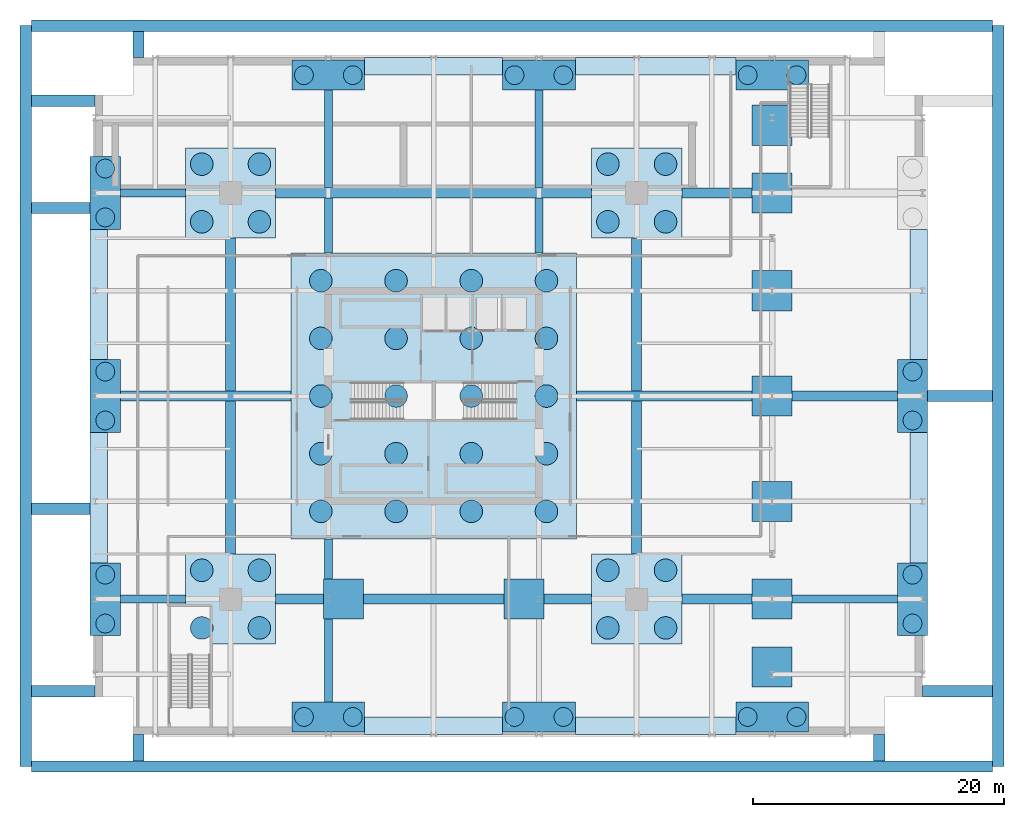
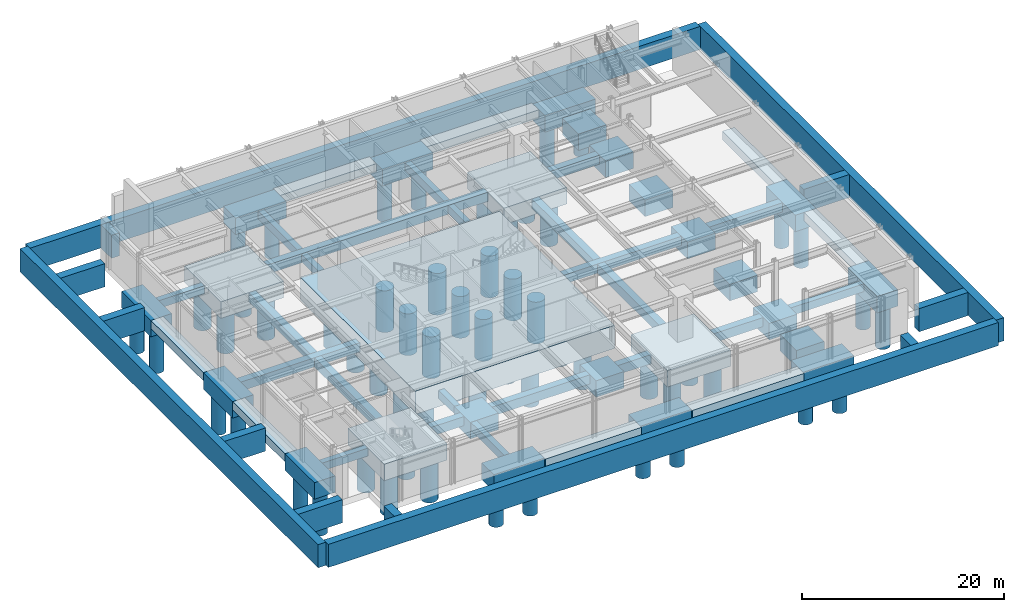
# One storey, part 1 of 9: 68 footings, 58 piles.
"""IFC4 building model written with IfcOpenShell, lengths in metres."""

from ifc_helpers import new_model, si_unit, direction, frame, frame_2d, origin, origin_2d, place, context, subcontext, project, spatial, polyline, rectangle, circle, outline, extrude, material, material_profile, profile_set, type_object, element, save


model = new_model("IFC4")

# Units and contexts
model_context = context("Model", 3, precision=1e-05, world=origin(), true_north=direction((0.0, 1.0)))
body_context = subcontext(model_context, "Body", "Model", "MODEL_VIEW")
ifc_project = project(units=[si_unit("LENGTHUNIT", "METRE"), si_unit("AREAUNIT", "SQUARE_METRE"), si_unit("VOLUMEUNIT", "CUBIC_METRE"), si_unit("PLANEANGLEUNIT", "RADIAN"), si_unit("MASSUNIT", "GRAM", prefix="KILO")], contexts=[model_context])

# Site, building, storey
site_placement = place(None, origin())
site = spatial("IfcSite", under=ifc_project, at=site_placement, CompositionType="ELEMENT")
building_placement = place(site_placement, origin())
building = spatial("IfcBuilding", under=site, at=building_placement, Name="Drelvath Grand Hotel", CompositionType="ELEMENT")
storey_placement = place(building_placement, frame((0.0, 0.0, -10.800048828125)))
storey = spatial("IfcBuildingStorey", under=building, at=storey_placement, Name="B2", CompositionType="ELEMENT", Elevation=-10.800048828125)

# Piles
ifc_material_1 = material(Name="Concrete f'c 55 MPa", Category="concrete")
ifc_material_profile_1 = material_profile(ifc_material_1, circle(Radius=0.75, at=origin_2d()), Name="CAISSON1500")
ifc_profile_set_1 = profile_set([ifc_material_profile_1], Name="Concrete f'c 55 MPa")
pile_type_1 = type_object("IfcPileType", Name="Bored Rock-Socketed Caisson 1500", PredefinedType="BORED", material=ifc_profile_set_1)
for number, where, z_axis, x_axis, name in (
    (1, (-26.199951171875, 8.85009765625, -2.64990234375), (0.0, 0.0, -1.0), (1.0, 0.0, 0.0), "Perimeter Caisson PL-WC-1"),
    (2, (-26.199951171875, 12.75, -2.64990234375), (0.0, 0.0, -1.0), (1.0, 0.0, 0.0), "Perimeter Caisson PL-WC-2"),
    (3, (-26.199951171875, 25.050048828125, -2.64990234375), (0.0, 0.0, -1.0), (1.0, 0.0, 0.0), "Perimeter Caisson PL-WE-1"),
    (4, (-26.199951171875, 28.949951171875, -2.64990234375), (0.0, 0.0, -1.0), (1.0, 0.0, 0.0), "Perimeter Caisson PL-WE-2"),
    (5, (-26.199951171875, 41.25, -2.64990234375), (0.0, 0.0, -1.0), (1.0, 0.0, 0.0), "Perimeter Caisson PL-WG-1"),
    (6, (-26.199951171875, 45.14990234375, -2.64990234375), (0.0, 0.0, -1.0), (1.0, 0.0, 0.0), "Perimeter Caisson PL-WG-2"),
    (7, (38.199951171875, 8.85009765625, -2.64990234375), (0.0, 0.0, -1.0), (1.0, 0.0, 0.0), "Perimeter Caisson PL-EC-1"),
    (8, (38.199951171875, 12.75, -2.64990234375), (0.0, 0.0, -1.0), (1.0, 0.0, 0.0), "Perimeter Caisson PL-EC-2"),
    (9, (38.199951171875, 25.050048828125, -2.64990234375), (0.0, 0.0, -1.0), (1.0, 0.0, 0.0), "Perimeter Caisson PL-EE-1"),
    (10, (38.199951171875, 28.949951171875, -2.64990234375), (0.0, 0.0, -1.0), (1.0, 0.0, 0.0), "Perimeter Caisson PL-EE-2"),
    (11, (-10.35009765625, 1.39990234375, -2.64990234375), (0.0, 0.0, -1.0), (1.0, 0.0, 0.0), "Perimeter Caisson PL-S4-1"),
    (12, (-6.449951171875, 1.39990234375, -2.64990234375), (0.0, 0.0, -1.0), (1.0, 0.0, 0.0), "Perimeter Caisson PL-S4-2"),
    (13, (6.449951171875, 1.39990234375, -2.64990234375), (0.0, 0.0, -1.0), (1.0, 0.0, 0.0), "Perimeter Caisson PL-S6-1"),
    (14, (10.35009765625, 1.39990234375, -2.64990234375), (0.0, 0.0, -1.0), (1.0, 0.0, 0.0), "Perimeter Caisson PL-S6-2"),
    (15, (25.050048828125, 1.39990234375, -2.64990234375), (0.0, 0.0, -1.0), (1.0, 0.0, 0.0), "Perimeter Caisson PL-S9-1"),
    (16, (28.949951171875, 1.39990234375, -2.64990234375), (0.0, 0.0, -1.0), (1.0, 0.0, 0.0), "Perimeter Caisson PL-S9-2"),
    (17, (-10.35009765625, 52.60009765625, -2.64990234375), (0.0, 0.0, -1.0), (1.0, 0.0, 0.0), "Perimeter Caisson PL-N4-1"),
    (18, (-6.449951171875, 52.60009765625, -2.64990234375), (0.0, 0.0, -1.0), (1.0, 0.0, 0.0), "Perimeter Caisson PL-N4-2"),
    (19, (6.449951171875, 52.60009765625, -2.64990234375), (0.0, 0.0, -1.0), (1.0, 0.0, 0.0), "Perimeter Caisson PL-N6-1"),
    (20, (10.35009765625, 52.60009765625, -2.64990234375), (0.0, 0.0, -1.0), (1.0, 0.0, 0.0), "Perimeter Caisson PL-N6-2"),
    (21, (25.050048828125, 52.60009765625, -2.64990234375), (0.0, 0.0, -1.0), (1.0, 0.0, 0.0), "Perimeter Caisson PL-N9-1"),
    (22, (28.949951171875, 52.60009765625, -2.64990234375), (0.0, 0.0, -1.0), (1.0, 0.0, 0.0), "Perimeter Caisson PL-N9-2"),
):
    element("IfcPile", number, at=place(storey_placement, frame(where, z_axis=z_axis, x_axis=x_axis)), inside=storey, type_object=pile_type_1, Name=name, PredefinedType="BORED", context=body_context, shape_type="SweptSolid", body=[
        extrude(circle(Radius=0.75, at=origin_2d()), origin(), (0.0, 0.0, 1.0), 5.050048828125),
    ])
ifc_material_profile_2 = material_profile(ifc_material_1, circle(Radius=0.89990234375, at=origin_2d()), Name="CAISSON1800")
ifc_profile_set_2 = profile_set([ifc_material_profile_2], Name="Concrete f'c 55 MPa")
pile_type_2 = type_object("IfcPileType", Name="Bored Rock-Socketed Caisson 1800", PredefinedType="BORED", material=ifc_profile_set_2)
for number, where, z_axis, x_axis, name in (
    (23, (-9.0, 17.800048828125, -2.64990234375), (0.0, 0.0, -1.0), (1.0, 0.0, 0.0), "Core Caisson PL-CR-01"),
    (24, (-9.0, 22.39990234375, -2.64990234375), (0.0, 0.0, -1.0), (1.0, 0.0, 0.0), "Core Caisson PL-CR-02"),
    (25, (-9.0, 27.0, -2.64990234375), (0.0, 0.0, -1.0), (1.0, 0.0, 0.0), "Core Caisson PL-CR-03"),
    (26, (-9.0, 31.60009765625, -2.64990234375), (0.0, 0.0, -1.0), (1.0, 0.0, 0.0), "Core Caisson PL-CR-04"),
    (27, (-9.0, 36.199951171875, -2.64990234375), (0.0, 0.0, -1.0), (1.0, 0.0, 0.0), "Core Caisson PL-CR-05"),
    (28, (-3.0, 17.800048828125, -2.64990234375), (0.0, 0.0, -1.0), (1.0, 0.0, 0.0), "Core Caisson PL-CR-06"),
    (29, (-3.0, 22.39990234375, -2.64990234375), (0.0, 0.0, -1.0), (1.0, 0.0, 0.0), "Core Caisson PL-CR-07"),
    (30, (-3.0, 27.0, -2.64990234375), (0.0, 0.0, -1.0), (1.0, 0.0, 0.0), "Core Caisson PL-CR-08"),
    (31, (-3.0, 31.60009765625, -2.64990234375), (0.0, 0.0, -1.0), (1.0, 0.0, 0.0), "Core Caisson PL-CR-09"),
    (32, (-3.0, 36.199951171875, -2.64990234375), (0.0, 0.0, -1.0), (1.0, 0.0, 0.0), "Core Caisson PL-CR-10"),
    (33, (3.0, 17.800048828125, -2.64990234375), (0.0, 0.0, -1.0), (1.0, 0.0, 0.0), "Core Caisson PL-CR-11"),
    (34, (3.0, 22.39990234375, -2.64990234375), (0.0, 0.0, -1.0), (1.0, 0.0, 0.0), "Core Caisson PL-CR-12"),
    (35, (3.0, 27.0, -2.64990234375), (0.0, 0.0, -1.0), (1.0, 0.0, 0.0), "Core Caisson PL-CR-13"),
    (36, (3.0, 31.60009765625, -2.64990234375), (0.0, 0.0, -1.0), (1.0, 0.0, 0.0), "Core Caisson PL-CR-14"),
    (37, (3.0, 36.199951171875, -2.64990234375), (0.0, 0.0, -1.0), (1.0, 0.0, 0.0), "Core Caisson PL-CR-15"),
    (38, (9.0, 17.800048828125, -2.64990234375), (0.0, 0.0, -1.0), (1.0, 0.0, 0.0), "Core Caisson PL-CR-16"),
    (39, (9.0, 22.39990234375, -2.64990234375), (0.0, 0.0, -1.0), (1.0, 0.0, 0.0), "Core Caisson PL-CR-17"),
    (40, (9.0, 27.0, -2.64990234375), (0.0, 0.0, -1.0), (1.0, 0.0, 0.0), "Core Caisson PL-CR-18"),
    (41, (9.0, 31.60009765625, -2.64990234375), (0.0, 0.0, -1.0), (1.0, 0.0, 0.0), "Core Caisson PL-CR-19"),
    (42, (9.0, 36.199951171875, -2.64990234375), (0.0, 0.0, -1.0), (1.0, 0.0, 0.0), "Core Caisson PL-CR-20"),
    (43, (-18.5, 8.5, -2.64990234375), (0.0, 0.0, -1.0), (1.0, 0.0, 0.0), "Mega Column Caisson MC-SW-WS"),
    (44, (-18.5, 13.10009765625, -2.64990234375), (0.0, 0.0, -1.0), (1.0, 0.0, 0.0), "Mega Column Caisson MC-SW-WN"),
    (45, (-13.89990234375, 8.5, -2.64990234375), (0.0, 0.0, -1.0), (1.0, 0.0, 0.0), "Mega Column Caisson MC-SW-ES"),
    (46, (-13.89990234375, 13.10009765625, -2.64990234375), (0.0, 0.0, -1.0), (1.0, 0.0, 0.0), "Mega Column Caisson MC-SW-EN"),
    (47, (13.89990234375, 8.5, -2.64990234375), (0.0, 0.0, -1.0), (1.0, 0.0, 0.0), "Mega Column Caisson MC-SE-WS"),
    (48, (13.89990234375, 13.10009765625, -2.64990234375), (0.0, 0.0, -1.0), (1.0, 0.0, 0.0), "Mega Column Caisson MC-SE-WN"),
    (49, (18.5, 8.5, -2.64990234375), (0.0, 0.0, -1.0), (1.0, 0.0, 0.0), "Mega Column Caisson MC-SE-ES"),
    (50, (18.5, 13.10009765625, -2.64990234375), (0.0, 0.0, -1.0), (1.0, 0.0, 0.0), "Mega Column Caisson MC-SE-EN"),
    (51, (-18.5, 40.89990234375, -2.64990234375), (0.0, 0.0, -1.0), (1.0, 0.0, 0.0), "Mega Column Caisson MC-NW-WS"),
    (52, (-18.5, 45.5, -2.64990234375), (0.0, 0.0, -1.0), (1.0, 0.0, 0.0), "Mega Column Caisson MC-NW-WN"),
    (53, (-13.89990234375, 40.89990234375, -2.64990234375), (0.0, 0.0, -1.0), (1.0, 0.0, 0.0), "Mega Column Caisson MC-NW-ES"),
    (54, (-13.89990234375, 45.5, -2.64990234375), (0.0, 0.0, -1.0), (1.0, 0.0, 0.0), "Mega Column Caisson MC-NW-EN"),
    (55, (13.89990234375, 40.89990234375, -2.64990234375), (0.0, 0.0, -1.0), (1.0, 0.0, 0.0), "Mega Column Caisson MC-NE-WS"),
    (56, (13.89990234375, 45.5, -2.64990234375), (0.0, 0.0, -1.0), (1.0, 0.0, 0.0), "Mega Column Caisson MC-NE-WN"),
    (57, (18.5, 40.89990234375, -2.64990234375), (0.0, 0.0, -1.0), (1.0, 0.0, 0.0), "Mega Column Caisson MC-NE-ES"),
    (58, (18.5, 45.5, -2.64990234375), (0.0, 0.0, -1.0), (1.0, 0.0, 0.0), "Mega Column Caisson MC-NE-EN"),
):
    element("IfcPile", number, at=place(storey_placement, frame(where, z_axis=z_axis, x_axis=x_axis)), inside=storey, type_object=pile_type_2, Name=name, PredefinedType="BORED", context=body_context, shape_type="SweptSolid", body=[
        extrude(circle(Radius=0.89990234375, at=origin_2d()), origin(), (0.0, 0.0, 1.0), 5.050048828125),
    ])

# Footings
ifc_material_2 = material(Name="Concrete f'c 70 MPa", Category="concrete")
footing_type_1 = type_object("IfcFootingType", Name="Core Mat Foundation Raft 2800", PredefinedType="PAD_FOOTING", material=ifc_material_2)
footing_1_placement = place(storey_placement, frame((0.0, 0.0, -2.800048828125)))
element("IfcFooting", 59, at=footing_1_placement, inside=storey, type_object=footing_type_1, Name="Central Core Mat Foundation Raft", PredefinedType="PAD_FOOTING", context=body_context, shape_type="SweptSolid", body=[
    extrude(outline(polyline([(-11.39990234375, 15.60009765625), (11.39990234375, 15.60009765625), (11.39990234375, 38.39990234375), (-11.39990234375, 38.39990234375), (-11.39990234375, 15.60009765625)])), origin(), (0.0, 0.0, 1.0), 2.800048828125),
])
ifc_material_profile_3 = material_profile(ifc_material_1, rectangle(XDim=0.64990234375, YDim=0.949951171875, at=origin_2d()), Name="CB650X950")
ifc_profile_set_3 = profile_set([ifc_material_profile_3], Name="Concrete f'c 55 MPa")
footing_type_2 = type_object("IfcFootingType", Name="Foundation Tie Beam 650x950", PredefinedType="FOOTING_BEAM", material=ifc_profile_set_3)
for number, where, z_axis, x_axis, name in (
    (60, (-25.0, 10.800048828125, -1.300048828125), (1.0, 0.0, 0.0), (0.0, 1.0, 0.0), "Foundation Grade Tie Beam TB-PW-C"),
    (61, (-25.0, 43.199951171875, -1.300048828125), (1.0, 0.0, 0.0), (0.0, 1.0, 0.0), "Foundation Grade Tie Beam TB-PW-G"),
):
    element("IfcFooting", number, at=place(storey_placement, frame(where, z_axis=z_axis, x_axis=x_axis)), inside=storey, type_object=footing_type_2, Name=name, PredefinedType="FOOTING_BEAM", context=body_context, shape_type="SweptSolid", body=[
        extrude(rectangle(XDim=0.64990234375, YDim=0.949951171875, at=origin_2d()), origin(), (0.0, 0.0, 1.0), 5.199951171875),
    ])
footing_2_placement = place(storey_placement, frame((28.60009765625, 10.800048828125, -1.300048828125), z_axis=(1.0, 0.0, 0.0), x_axis=(0.0, 1.0, 0.0)))
element("IfcFooting", 62, at=footing_2_placement, inside=storey, type_object=footing_type_2, Name="Foundation Grade Tie Beam TB-PE-C", PredefinedType="FOOTING_BEAM", context=body_context, shape_type="SweptSolid", body=[
    extrude(rectangle(XDim=0.64990234375, YDim=0.949951171875, at=origin_2d()), origin(), (0.0, 0.0, 1.0), 8.39990234375),
])
footing_3_placement = place(storey_placement, frame((-8.39990234375, 2.60009765625, -1.300048828125), z_axis=(0.0, 1.0, 0.0), x_axis=(-1.0, 0.0, 0.0)))
element("IfcFooting", 63, at=footing_3_placement, inside=storey, type_object=footing_type_2, Name="Foundation Grade Tie Beam TB-CR-S1", PredefinedType="FOOTING_BEAM", context=body_context, shape_type="SweptSolid", body=[
    extrude(rectangle(XDim=0.64990234375, YDim=0.949951171875, at=origin_2d()), origin(), (0.0, 0.0, 1.0), 6.599853515625),
])
footing_4_placement = place(storey_placement, frame((-8.39990234375, 12.39990234375, -1.300048828125), z_axis=(0.0, 1.0, 0.0), x_axis=(-1.0, 0.0, 0.0)))
element("IfcFooting", 64, at=footing_4_placement, inside=storey, type_object=footing_type_2, Name="Foundation Grade Tie Beam TB-CR-S2", PredefinedType="FOOTING_BEAM", context=body_context, shape_type="SweptSolid", body=[
    extrude(rectangle(XDim=0.64990234375, YDim=0.949951171875, at=origin_2d()), origin(), (0.0, 0.0, 1.0), 3.2001953125),
])
footing_5_placement = place(storey_placement, frame((-8.39990234375, 38.39990234375, -1.300048828125), z_axis=(0.0, 1.0, 0.0), x_axis=(-1.0, 0.0, 0.0)))
element("IfcFooting", 65, at=footing_5_placement, inside=storey, type_object=footing_type_2, Name="Foundation Grade Tie Beam TB-CR-N1A", PredefinedType="FOOTING_BEAM", context=body_context, shape_type="SweptSolid", body=[
    extrude(rectangle(XDim=0.64990234375, YDim=0.949951171875, at=origin_2d()), origin(), (0.0, 0.0, 1.0), 4.400146484375),
])
footing_6_placement = place(storey_placement, frame((-8.39990234375, 43.60009765625, -1.300048828125), z_axis=(0.0, 1.0, 0.0), x_axis=(-1.0, 0.0, 0.0)))
element("IfcFooting", 66, at=footing_6_placement, inside=storey, type_object=footing_type_2, Name="Foundation Grade Tie Beam TB-CR-N1B", PredefinedType="FOOTING_BEAM", context=body_context, shape_type="SweptSolid", body=[
    extrude(rectangle(XDim=0.64990234375, YDim=0.949951171875, at=origin_2d()), origin(), (0.0, 0.0, 1.0), 7.7998046875),
])
footing_7_placement = place(storey_placement, frame((8.39990234375, 38.39990234375, -1.300048828125), z_axis=(0.0, 1.0, 0.0), x_axis=(-1.0, 0.0, 0.0)))
element("IfcFooting", 67, at=footing_7_placement, inside=storey, type_object=footing_type_2, Name="Foundation Grade Tie Beam TB-CR-N2A", PredefinedType="FOOTING_BEAM", context=body_context, shape_type="SweptSolid", body=[
    extrude(rectangle(XDim=0.64990234375, YDim=0.949951171875, at=origin_2d()), origin(), (0.0, 0.0, 1.0), 4.400146484375),
])
footing_8_placement = place(storey_placement, frame((8.39990234375, 43.60009765625, -1.300048828125), z_axis=(0.0, 1.0, 0.0), x_axis=(-1.0, 0.0, 0.0)))
element("IfcFooting", 68, at=footing_8_placement, inside=storey, type_object=footing_type_2, Name="Foundation Grade Tie Beam TB-CR-N2B", PredefinedType="FOOTING_BEAM", context=body_context, shape_type="SweptSolid", body=[
    extrude(rectangle(XDim=0.64990234375, YDim=0.949951171875, at=origin_2d()), origin(), (0.0, 0.0, 1.0), 7.7998046875),
])
ifc_material_profile_4 = material_profile(ifc_material_1, rectangle(XDim=0.800048828125, YDim=1.10009765625, at=origin_2d()), Name="CB800X1100")
ifc_profile_set_4 = profile_set([ifc_material_profile_4], Name="Concrete f'c 55 MPa")
footing_type_3 = type_object("IfcFootingType", Name="Foundation Tie Beam 800x1100", PredefinedType="FOOTING_BEAM", material=ifc_profile_set_4)
for number, where, z_axis, x_axis, name in (
    (69, (-16.199951171875, 14.39990234375, -1.349853515625), (0.0, 1.0, 0.0), (-1.0, 0.0, 0.0), "Foundation Grade Tie Beam TB-MC-W1"),
    (70, (-16.199951171875, 27.39990234375, -1.349853515625), (0.0, 1.0, 0.0), (-1.0, 0.0, 0.0), "Foundation Grade Tie Beam TB-MC-W2"),
    (71, (16.199951171875, 14.39990234375, -1.349853515625), (0.0, 1.0, 0.0), (-1.0, 0.0, 0.0), "Foundation Grade Tie Beam TB-MC-E1"),
    (72, (16.199951171875, 27.39990234375, -1.349853515625), (0.0, 1.0, 0.0), (-1.0, 0.0, 0.0), "Foundation Grade Tie Beam TB-MC-E2"),
):
    element("IfcFooting", number, at=place(storey_placement, frame(where, z_axis=z_axis, x_axis=x_axis)), inside=storey, type_object=footing_type_3, Name=name, PredefinedType="FOOTING_BEAM", context=body_context, shape_type="SweptSolid", body=[
        extrude(rectangle(XDim=0.800048828125, YDim=1.10009765625, at=origin_2d()), origin(), (0.0, 0.0, 1.0), 12.2001953125),
    ])
footing_9_placement = place(storey_placement, frame((-12.60009765625, 10.800048828125, -1.349853515625), z_axis=(1.0, 0.0, 0.0), x_axis=(0.0, 1.0, 0.0)))
element("IfcFooting", 73, at=footing_9_placement, inside=storey, type_object=footing_type_3, Name="Foundation Grade Tie Beam TB-S1", PredefinedType="FOOTING_BEAM", context=body_context, shape_type="SweptSolid", body=[
    extrude(rectangle(XDim=0.800048828125, YDim=1.10009765625, at=origin_2d()), origin(), (0.0, 0.0, 1.0), 3.800048828125),
])
footing_10_placement = place(storey_placement, frame((-5.60009765625, 10.800048828125, -1.349853515625), z_axis=(1.0, 0.0, 0.0), x_axis=(0.0, 1.0, 0.0)))
element("IfcFooting", 74, at=footing_10_placement, inside=storey, type_object=footing_type_3, Name="Foundation Grade Tie Beam TB-S2", PredefinedType="FOOTING_BEAM", context=body_context, shape_type="SweptSolid", body=[
    extrude(rectangle(XDim=0.800048828125, YDim=1.10009765625, at=origin_2d()), origin(), (0.0, 0.0, 1.0), 11.2001953125),
])
footing_11_placement = place(storey_placement, frame((8.800048828125, 10.800048828125, -1.349853515625), z_axis=(1.0, 0.0, 0.0), x_axis=(0.0, 1.0, 0.0)))
element("IfcFooting", 75, at=footing_11_placement, inside=storey, type_object=footing_type_3, Name="Foundation Grade Tie Beam TB-S3", PredefinedType="FOOTING_BEAM", context=body_context, shape_type="SweptSolid", body=[
    extrude(rectangle(XDim=0.800048828125, YDim=1.10009765625, at=origin_2d()), origin(), (0.0, 0.0, 1.0), 3.800048828125),
])
footing_12_placement = place(storey_placement, frame((19.800048828125, 10.800048828125, -1.349853515625), z_axis=(1.0, 0.0, 0.0), x_axis=(0.0, 1.0, 0.0)))
element("IfcFooting", 76, at=footing_12_placement, inside=storey, type_object=footing_type_3, Name="Foundation Grade Tie Beam TB-S4", PredefinedType="FOOTING_BEAM", context=body_context, shape_type="SweptSolid", body=[
    extrude(rectangle(XDim=0.800048828125, YDim=1.10009765625, at=origin_2d()), origin(), (0.0, 0.0, 1.0), 5.599853515625),
])
footing_13_placement = place(storey_placement, frame((-12.60009765625, 43.199951171875, -1.349853515625), z_axis=(1.0, 0.0, 0.0), x_axis=(0.0, 1.0, 0.0)))
element("IfcFooting", 77, at=footing_13_placement, inside=storey, type_object=footing_type_3, Name="Foundation Grade Tie Beam TB-N1", PredefinedType="FOOTING_BEAM", context=body_context, shape_type="SweptSolid", body=[
    extrude(rectangle(XDim=0.800048828125, YDim=1.10009765625, at=origin_2d()), origin(), (0.0, 0.0, 1.0), 25.2001953125),
])
footing_14_placement = place(storey_placement, frame((19.800048828125, 43.199951171875, -1.349853515625), z_axis=(1.0, 0.0, 0.0), x_axis=(0.0, 1.0, 0.0)))
element("IfcFooting", 78, at=footing_14_placement, inside=storey, type_object=footing_type_3, Name="Foundation Grade Tie Beam TB-N2", PredefinedType="FOOTING_BEAM", context=body_context, shape_type="SweptSolid", body=[
    extrude(rectangle(XDim=0.800048828125, YDim=1.10009765625, at=origin_2d()), origin(), (0.0, 0.0, 1.0), 5.599853515625),
])
footing_15_placement = place(storey_placement, frame((-25.0, 27.0, -1.349853515625), z_axis=(1.0, 0.0, 0.0), x_axis=(0.0, 1.0, 0.0)))
element("IfcFooting", 79, at=footing_15_placement, inside=storey, type_object=footing_type_3, Name="Foundation Grade Tie Beam TB-CR-W", PredefinedType="FOOTING_BEAM", context=body_context, shape_type="SweptSolid", body=[
    extrude(rectangle(XDim=0.800048828125, YDim=1.10009765625, at=origin_2d()), origin(), (0.0, 0.0, 1.0), 13.60009765625),
])
footing_16_placement = place(storey_placement, frame((11.39990234375, 27.0, -1.349853515625), z_axis=(1.0, 0.0, 0.0), x_axis=(0.0, 1.0, 0.0)))
element("IfcFooting", 80, at=footing_16_placement, inside=storey, type_object=footing_type_3, Name="Foundation Grade Tie Beam TB-CR-E1", PredefinedType="FOOTING_BEAM", context=body_context, shape_type="SweptSolid", body=[
    extrude(rectangle(XDim=0.800048828125, YDim=1.10009765625, at=origin_2d()), origin(), (0.0, 0.0, 1.0), 14.0),
])
footing_17_placement = place(storey_placement, frame((28.60009765625, 27.0, -1.349853515625), z_axis=(1.0, 0.0, 0.0), x_axis=(0.0, 1.0, 0.0)))
element("IfcFooting", 81, at=footing_17_placement, inside=storey, type_object=footing_type_3, Name="Foundation Grade Tie Beam TB-CR-E2", PredefinedType="FOOTING_BEAM", context=body_context, shape_type="SweptSolid", body=[
    extrude(rectangle(XDim=0.800048828125, YDim=1.10009765625, at=origin_2d()), origin(), (0.0, 0.0, 1.0), 8.39990234375),
])
footing_type_4 = type_object("IfcFootingType", Name="Mega Column Pile Cap 7200x7200x2000", PredefinedType="PILE_CAP", material=ifc_material_1)
for number, where, z_axis, x_axis, name in (
    (82, (-16.199951171875, 10.800048828125, -2.800048828125), (0.0, 0.0, 1.0), (1.0, 0.0, 0.0), "Mega Column Pile Cap MC-SW"),
    (83, (16.199951171875, 10.800048828125, -2.800048828125), (0.0, 0.0, 1.0), (1.0, 0.0, 0.0), "Mega Column Pile Cap MC-SE"),
    (84, (-16.199951171875, 43.199951171875, -2.800048828125), (0.0, 0.0, 1.0), (1.0, 0.0, 0.0), "Mega Column Pile Cap MC-NW"),
    (85, (16.199951171875, 43.199951171875, -2.800048828125), (0.0, 0.0, 1.0), (1.0, 0.0, 0.0), "Mega Column Pile Cap MC-NE"),
):
    element("IfcFooting", number, at=place(storey_placement, frame(where, z_axis=z_axis, x_axis=x_axis)), inside=storey, type_object=footing_type_4, Name=name, PredefinedType="PILE_CAP", context=body_context, shape_type="SweptSolid", body=[
        extrude(rectangle(XDim=7.199951171875, YDim=7.199951171875, at=origin_2d()), origin(), (0.0, 0.0, 1.0), 2.0),
    ])
footing_type_5 = type_object("IfcFootingType", Name="Perimeter Pile Cap 2400x5800x2000", PredefinedType="PILE_CAP", material=ifc_material_1)
for number, where, z_axis, x_axis, name in (
    (86, (-26.199951171875, 10.800048828125, -2.800048828125), (0.0, 0.0, 1.0), (1.0, 0.0, 0.0), "Perimeter Pile Cap PC-WC"),
    (87, (-26.199951171875, 27.0, -2.800048828125), (0.0, 0.0, 1.0), (1.0, 0.0, 0.0), "Perimeter Pile Cap PC-WE"),
    (88, (-26.199951171875, 43.199951171875, -2.800048828125), (0.0, 0.0, 1.0), (1.0, 0.0, 0.0), "Perimeter Pile Cap PC-WG"),
    (89, (38.199951171875, 10.800048828125, -2.800048828125), (0.0, 0.0, 1.0), (1.0, 0.0, 0.0), "Perimeter Pile Cap PC-EC"),
    (90, (38.199951171875, 27.0, -2.800048828125), (0.0, 0.0, 1.0), (1.0, 0.0, 0.0), "Perimeter Pile Cap PC-EE"),
):
    element("IfcFooting", number, at=place(storey_placement, frame(where, z_axis=z_axis, x_axis=x_axis)), inside=storey, type_object=footing_type_5, Name=name, PredefinedType="PILE_CAP", context=body_context, shape_type="SweptSolid", body=[
        extrude(rectangle(XDim=2.39990234375, YDim=5.800048828125, at=origin_2d()), origin(), (0.0, 0.0, 1.0), 2.0),
    ])
footing_type_6 = type_object("IfcFootingType", Name="Perimeter Pile Cap 5800x2400x2000", PredefinedType="PILE_CAP", material=ifc_material_1)
for number, where, z_axis, x_axis, name in (
    (91, (-8.39990234375, 1.39990234375, -2.800048828125), (0.0, 0.0, 1.0), (1.0, 0.0, 0.0), "Perimeter Pile Cap PC-S4"),
    (92, (8.39990234375, 1.39990234375, -2.800048828125), (0.0, 0.0, 1.0), (1.0, 0.0, 0.0), "Perimeter Pile Cap PC-S6"),
    (93, (27.0, 1.39990234375, -2.800048828125), (0.0, 0.0, 1.0), (1.0, 0.0, 0.0), "Perimeter Pile Cap PC-S9"),
    (94, (-8.39990234375, 52.60009765625, -2.800048828125), (0.0, 0.0, 1.0), (1.0, 0.0, 0.0), "Perimeter Pile Cap PC-N4"),
    (95, (8.39990234375, 52.60009765625, -2.800048828125), (0.0, 0.0, 1.0), (1.0, 0.0, 0.0), "Perimeter Pile Cap PC-N6"),
    (96, (27.0, 52.60009765625, -2.800048828125), (0.0, 0.0, 1.0), (1.0, 0.0, 0.0), "Perimeter Pile Cap PC-N9"),
):
    element("IfcFooting", number, at=place(storey_placement, frame(where, z_axis=z_axis, x_axis=x_axis)), inside=storey, type_object=footing_type_6, Name=name, PredefinedType="PILE_CAP", context=body_context, shape_type="SweptSolid", body=[
        extrude(rectangle(XDim=5.800048828125, YDim=2.39990234375, at=origin_2d()), origin(), (0.0, 0.0, 1.0), 2.0),
    ])
footing_type_7 = type_object("IfcFootingType", Name="Pier Pad Footing 3200x3200x2000", PredefinedType="PAD_FOOTING", material=ifc_material_1)
for number, where, z_axis, x_axis, name in (
    (97, (27.0, 10.800048828125, -2.800048828125), (0.0, 0.0, 1.0), (1.0, 0.0, 0.0), "Podium Pier Pad Footing PF-9C"),
    (98, (27.0, 43.199951171875, -2.800048828125), (0.0, 0.0, 1.0), (1.0, 0.0, 0.0), "Podium Pier Pad Footing PF-9G"),
    (99, (27.0, 5.39990234375, -2.800048828125), (0.0, 0.0, 1.0), (1.0, 0.0, 0.0), "Podium Pier Pad Footing PF-9B"),
    (100, (27.0, 48.60009765625, -2.800048828125), (0.0, 0.0, 1.0), (1.0, 0.0, 0.0), "Podium Pier Pad Footing PF-9H"),
    (101, (27.0, 18.60009765625, -2.800048828125), (0.0, 0.0, 1.0), (1.0, 0.0, 0.0), "Podium Pier Pad Footing PF-9D"),
    (102, (27.0, 27.0, -2.800048828125), (0.0, 0.0, 1.0), (1.0, 0.0, 0.0), "Podium Pier Pad Footing PF-9E"),
    (103, (27.0, 35.39990234375, -2.800048828125), (0.0, 0.0, 1.0), (1.0, 0.0, 0.0), "Podium Pier Pad Footing PF-9F"),
    (104, (-7.199951171875, 10.800048828125, -2.800048828125), (0.0, 0.0, 1.0), (1.0, 0.0, 0.0), "Podium Pier Pad Footing PF-4C"),
    (105, (7.199951171875, 10.800048828125, -2.800048828125), (0.0, 0.0, 1.0), (1.0, 0.0, 0.0), "Podium Pier Pad Footing PF-6C"),
):
    element("IfcFooting", number, at=place(storey_placement, frame(where, z_axis=z_axis, x_axis=x_axis)), inside=storey, type_object=footing_type_7, Name=name, PredefinedType="PAD_FOOTING", context=body_context, shape_type="SweptSolid", body=[
        extrude(rectangle(XDim=3.199951171875, YDim=3.199951171875, at=origin_2d()), origin(), (0.0, 0.0, 1.0), 2.0),
    ])
footing_type_8 = type_object("IfcFootingType", Name="Retaining Wall Strip Footing 1400x1000", PredefinedType="STRIP_FOOTING", material=ifc_material_1)
footing_18_placement = place(storey_placement, frame((0.0, 0.0, -1.800048828125)))
element("IfcFooting", 106, at=footing_18_placement, inside=storey, type_object=footing_type_8, Name="Perimeter Retaining Strip Footing SF-W1", PredefinedType="STRIP_FOOTING", context=body_context, shape_type="SweptSolid", body=[
    extrude(outline(polyline([(-27.39990234375, 13.699951171875), (-26.0, 13.699951171875), (-26.0, 24.10009765625), (-27.39990234375, 24.10009765625), (-27.39990234375, 13.699951171875)])), origin(), (0.0, 0.0, 1.0), 1.0),
])
footing_19_placement = place(storey_placement, frame((0.0, 0.0, -1.800048828125)))
element("IfcFooting", 107, at=footing_19_placement, inside=storey, type_object=footing_type_8, Name="Perimeter Retaining Strip Footing SF-W2", PredefinedType="STRIP_FOOTING", context=body_context, shape_type="SweptSolid", body=[
    extrude(outline(polyline([(-27.39990234375, 29.89990234375), (-26.0, 29.89990234375), (-26.0, 40.300048828125), (-27.39990234375, 40.300048828125), (-27.39990234375, 29.89990234375)])), origin(), (0.0, 0.0, 1.0), 1.0),
])
footing_20_placement = place(storey_placement, frame((0.0, 0.0, -1.800048828125)))
element("IfcFooting", 108, at=footing_20_placement, inside=storey, type_object=footing_type_8, Name="Perimeter Retaining Strip Footing SF-E1", PredefinedType="STRIP_FOOTING", context=body_context, shape_type="SweptSolid", body=[
    extrude(outline(polyline([(38.0, 13.699951171875), (39.39990234375, 13.699951171875), (39.39990234375, 24.10009765625), (38.0, 24.10009765625), (38.0, 13.699951171875)])), origin(), (0.0, 0.0, 1.0), 1.0),
])
footing_21_placement = place(storey_placement, frame((0.0, 0.0, -1.800048828125)))
element("IfcFooting", 109, at=footing_21_placement, inside=storey, type_object=footing_type_8, Name="Perimeter Retaining Strip Footing SF-E2", PredefinedType="STRIP_FOOTING", context=body_context, shape_type="SweptSolid", body=[
    extrude(outline(polyline([(38.0, 29.89990234375), (39.39990234375, 29.89990234375), (39.39990234375, 40.300048828125), (38.0, 40.300048828125), (38.0, 29.89990234375)])), origin(), (0.0, 0.0, 1.0), 1.0),
])
footing_22_placement = place(storey_placement, frame((0.0, 0.0, -1.800048828125)))
element("IfcFooting", 110, at=footing_22_placement, inside=storey, type_object=footing_type_8, Name="Perimeter Retaining Strip Footing SF-S1", PredefinedType="STRIP_FOOTING", context=body_context, shape_type="SweptSolid", body=[
    extrude(outline(polyline([(-5.5, 0.0), (5.5, 0.0), (5.5, 1.39990234375), (-5.5, 1.39990234375), (-5.5, 0.0)])), origin(), (0.0, 0.0, 1.0), 1.0),
])
footing_23_placement = place(storey_placement, frame((0.0, 0.0, -1.800048828125)))
element("IfcFooting", 111, at=footing_23_placement, inside=storey, type_object=footing_type_8, Name="Perimeter Retaining Strip Footing SF-S2", PredefinedType="STRIP_FOOTING", context=body_context, shape_type="SweptSolid", body=[
    extrude(outline(polyline([(11.300048828125, 0.0), (24.10009765625, 0.0), (24.10009765625, 1.39990234375), (11.300048828125, 1.39990234375), (11.300048828125, 0.0)])), origin(), (0.0, 0.0, 1.0), 1.0),
])
footing_24_placement = place(storey_placement, frame((0.0, 0.0, -1.800048828125)))
element("IfcFooting", 112, at=footing_24_placement, inside=storey, type_object=footing_type_8, Name="Perimeter Retaining Strip Footing SF-N1", PredefinedType="STRIP_FOOTING", context=body_context, shape_type="SweptSolid", body=[
    extrude(outline(polyline([(-5.5, 52.60009765625), (5.5, 52.60009765625), (5.5, 54.0), (-5.5, 54.0), (-5.5, 52.60009765625)])), origin(), (0.0, 0.0, 1.0), 1.0),
])
footing_25_placement = place(storey_placement, frame((0.0, 0.0, -1.800048828125)))
element("IfcFooting", 113, at=footing_25_placement, inside=storey, type_object=footing_type_8, Name="Perimeter Retaining Strip Footing SF-N2", PredefinedType="STRIP_FOOTING", context=body_context, shape_type="SweptSolid", body=[
    extrude(outline(polyline([(11.300048828125, 52.60009765625), (24.10009765625, 52.60009765625), (24.10009765625, 54.0), (11.300048828125, 54.0), (11.300048828125, 52.60009765625)])), origin(), (0.0, 0.0, 1.0), 1.0),
])
for number, where, z_axis, x_axis, name in (
    (114, (-32.550048828125, -2.550048828125, -2.800048828125), (0.0, 0.0, 1.0), (0.0, 1.0, 0.0), "Sidewalk Frost Strip Footing CURB-W-OUT"),
    (115, (45.050048828125, -2.550048828125, -2.800048828125), (0.0, 0.0, 1.0), (0.0, 1.0, 0.0), "Sidewalk Frost Strip Footing CURB-E-OUT"),
):
    element("IfcFooting", number, at=place(storey_placement, frame(where, z_axis=z_axis, x_axis=x_axis)), inside=storey, type_object=footing_type_8, Name=name, PredefinedType="STRIP_FOOTING", context=body_context, shape_type="SweptSolid", body=[
        extrude(rectangle(XDim=59.10009765625, YDim=0.89990234375, at=frame_2d((29.550048828125, 0.0))), origin(), (0.0, 0.0, 1.0), 2.800048828125),
    ])
for number, where, z_axis, x_axis, name in (
    (116, (-32.10009765625, -2.550048828125, -2.800048828125), (0.0, 0.0, 1.0), (1.0, 0.0, 0.0), "Sidewalk Frost Strip Footing CURB-S-OUT"),
    (117, (-32.10009765625, 56.550048828125, -2.800048828125), (0.0, 0.0, 1.0), (1.0, 0.0, 0.0), "Sidewalk Frost Strip Footing CURB-N-OUT"),
):
    element("IfcFooting", number, at=place(storey_placement, frame(where, z_axis=z_axis, x_axis=x_axis)), inside=storey, type_object=footing_type_8, Name=name, PredefinedType="STRIP_FOOTING", context=body_context, shape_type="SweptSolid", body=[
        extrude(rectangle(XDim=76.7001953125, YDim=0.89990234375, at=frame_2d((38.35009765625, 0.0))), origin(), (0.0, 0.0, 1.0), 2.800048828125),
    ])
footing_26_placement = place(storey_placement, frame((-32.10009765625, 3.449951171875, -2.800048828125), z_axis=(0.0, 0.0, 1.0), x_axis=(1.0, 0.0, 0.0)))
element("IfcFooting", 118, at=footing_26_placement, inside=storey, type_object=footing_type_8, Name="Sidewalk Frost Strip Footing CURB-W-Y0", PredefinedType="STRIP_FOOTING", context=body_context, shape_type="SweptSolid", body=[
    extrude(rectangle(XDim=5.10009765625, YDim=0.89990234375, at=frame_2d((2.550048828125, 0.0))), origin(), (0.0, 0.0, 1.0), 2.800048828125),
])
for number, where, z_axis, x_axis, name in (
    (119, (-32.10009765625, 18.0, -2.800048828125), (0.0, 0.0, 1.0), (1.0, 0.0, 0.0), "Sidewalk Frost Strip Footing CURB-W-Y18"),
    (120, (-32.10009765625, 42.0, -2.800048828125), (0.0, 0.0, 1.0), (1.0, 0.0, 0.0), "Sidewalk Frost Strip Footing CURB-W-Y42"),
):
    element("IfcFooting", number, at=place(storey_placement, frame(where, z_axis=z_axis, x_axis=x_axis)), inside=storey, type_object=footing_type_8, Name=name, PredefinedType="STRIP_FOOTING", context=body_context, shape_type="SweptSolid", body=[
        extrude(rectangle(XDim=4.7001953125, YDim=0.89990234375, at=frame_2d((2.35009765625, 0.0))), origin(), (0.0, 0.0, 1.0), 2.800048828125),
    ])
footing_27_placement = place(storey_placement, frame((-32.10009765625, 50.550048828125, -2.800048828125), z_axis=(0.0, 0.0, 1.0), x_axis=(1.0, 0.0, 0.0)))
element("IfcFooting", 121, at=footing_27_placement, inside=storey, type_object=footing_type_8, Name="Sidewalk Frost Strip Footing CURB-W-Y54", PredefinedType="STRIP_FOOTING", context=body_context, shape_type="SweptSolid", body=[
    extrude(rectangle(XDim=5.10009765625, YDim=0.89990234375, at=frame_2d((2.550048828125, 0.0))), origin(), (0.0, 0.0, 1.0), 2.800048828125),
])
footing_28_placement = place(storey_placement, frame((39.0, 3.449951171875, -2.800048828125), z_axis=(0.0, 0.0, 1.0), x_axis=(1.0, 0.0, 0.0)))
element("IfcFooting", 122, at=footing_28_placement, inside=storey, type_object=footing_type_8, Name="Sidewalk Frost Strip Footing CURB-E-Y0", PredefinedType="STRIP_FOOTING", context=body_context, shape_type="SweptSolid", body=[
    extrude(rectangle(XDim=5.60009765625, YDim=0.89990234375, at=frame_2d((2.800048828125, 0.0))), origin(), (0.0, 0.0, 1.0), 2.800048828125),
])
footing_29_placement = place(storey_placement, frame((39.39990234375, 27.0, -2.800048828125), z_axis=(0.0, 0.0, 1.0), x_axis=(1.0, 0.0, 0.0)))
element("IfcFooting", 123, at=footing_29_placement, inside=storey, type_object=footing_type_8, Name="Sidewalk Frost Strip Footing CURB-E-Y27", PredefinedType="STRIP_FOOTING", context=body_context, shape_type="SweptSolid", body=[
    extrude(rectangle(XDim=5.2001953125, YDim=0.89990234375, at=frame_2d((2.60009765625, 0.0))), origin(), (0.0, 0.0, 1.0), 2.800048828125),
])
for number, where, z_axis, x_axis, name in (
    (124, (-23.550048828125, -2.10009765625, -2.800048828125), (0.0, 0.0, 1.0), (0.0, 1.0, 0.0), "Sidewalk Frost Strip Footing CURB-S-X1"),
    (125, (35.550048828125, -2.10009765625, -2.800048828125), (0.0, 0.0, 1.0), (0.0, 1.0, 0.0), "Sidewalk Frost Strip Footing CURB-S-X2"),
    (126, (-23.550048828125, 54.0, -2.800048828125), (0.0, 0.0, 1.0), (0.0, 1.0, 0.0), "Sidewalk Frost Strip Footing CURB-N-X1"),
):
    element("IfcFooting", number, at=place(storey_placement, frame(where, z_axis=z_axis, x_axis=x_axis)), inside=storey, type_object=footing_type_8, Name=name, PredefinedType="STRIP_FOOTING", context=body_context, shape_type="SweptSolid", body=[
        extrude(rectangle(XDim=2.10009765625, YDim=0.89990234375, at=frame_2d((1.050048828125, 0.0))), origin(), (0.0, 0.0, 1.0), 2.800048828125),
    ])

save(model, "model.ifc")
